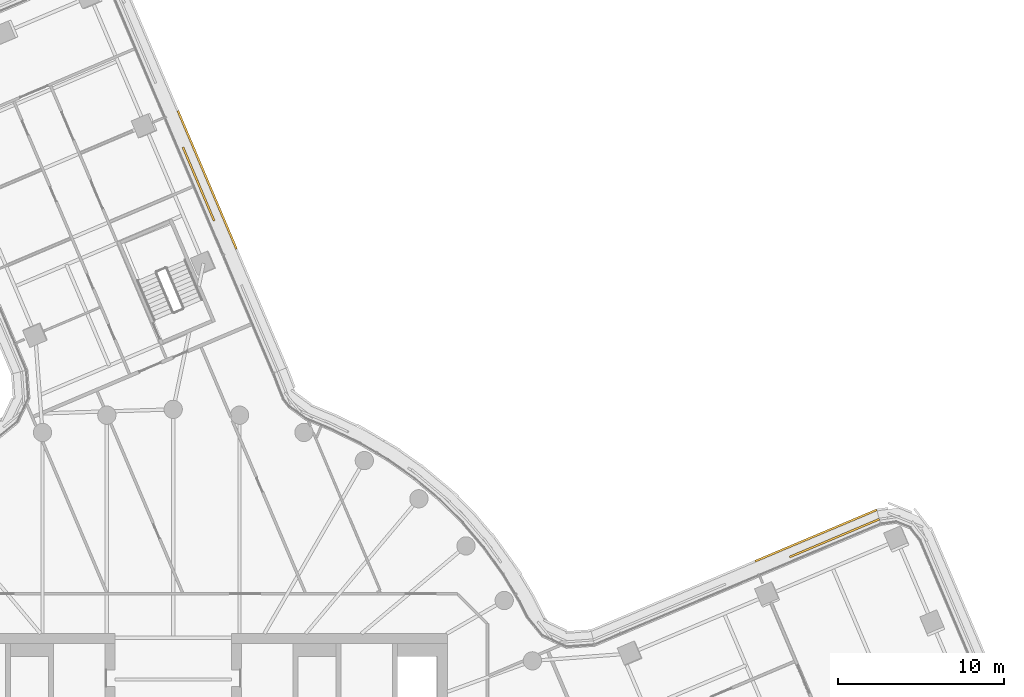
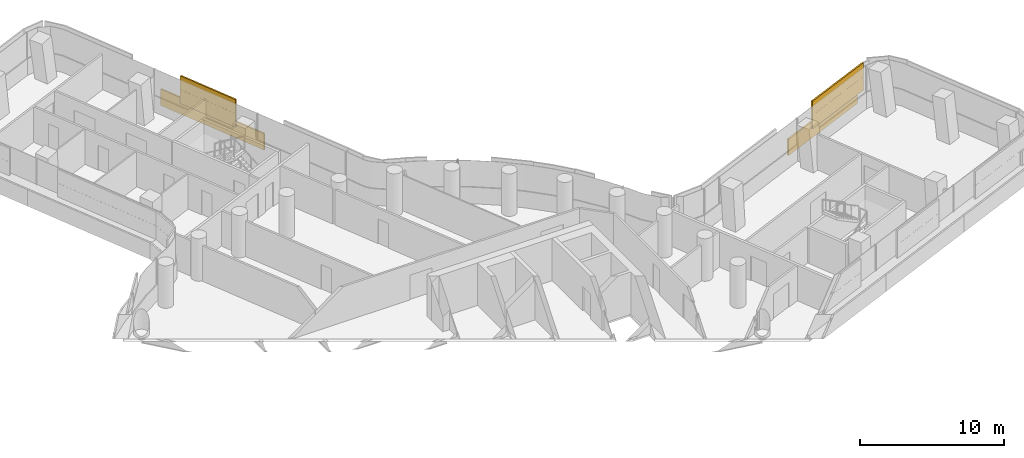
# One storey, part 35 of 35: 2 coverings.
"""IFC4 building model written with IfcOpenShell, lengths in metres."""

from ifc_helpers import new_model, si_unit, direction, frame, origin, origin_2d, place, context, subcontext, project, spatial, rectangle, extrude, material, layer, layer_set, type_object, element, save


model = new_model("IFC4")

# Units and contexts
model_context = context("Model", 3, precision=1e-05, world=origin(), true_north=direction((0.0, 1.0)))
body_context = subcontext(model_context, "Body", "Model", "MODEL_VIEW")
ifc_project = project(units=[si_unit("LENGTHUNIT", "METRE"), si_unit("AREAUNIT", "SQUARE_METRE"), si_unit("VOLUMEUNIT", "CUBIC_METRE"), si_unit("PLANEANGLEUNIT", "RADIAN"), si_unit("MASSUNIT", "GRAM", prefix="KILO")], contexts=[model_context])

# Site, building, storey
site_placement = place(None, origin())
site = spatial("IfcSite", under=ifc_project, at=site_placement, CompositionType="ELEMENT")
building_placement = place(site_placement, origin())
building = spatial("IfcBuilding", under=site, at=building_placement, Name="Tamarind Cross Interchange Tower", CompositionType="ELEMENT")
storey_placement = place(building_placement, frame((0.0, 0.0, 117.25)))
storey = spatial("IfcBuildingStorey", under=building, at=storey_placement, Name="L28", CompositionType="ELEMENT", Elevation=117.25)

# Coverings
ifc_material = material(Name="Terracotta", Category="masonry")
ifc_layer = layer(ifc_material, 0.1201171875)
ifc_layer_set = layer_set([ifc_layer], Name="Terracotta")
covering_type = type_object("IfcCoveringType", Name="Terracotta baguette screen unit", PredefinedType="MOLDING", material=ifc_layer_set)
covering_1_placement = place(storey_placement, origin())
element("IfcCovering", 1, at=covering_1_placement, inside=storey, type_object=covering_type, Name="SCR-L28-09-00", PredefinedType="MOLDING", context=body_context, shape_type="SweptSolid", body=[
    extrude(rectangle(XDim=1.510009765625, YDim=0.1201171875, at=origin_2d()), frame((41.800048828125, 16.1015625, 1.404052734375), z_axis=(0.0, 0.0, 1.0), x_axis=(-0.921263635853, -0.388938701154, 0.0)), (0.0, 0.0, 1.0), 1.1669921875),
    extrude(rectangle(XDim=1.52001953125, YDim=0.1201171875, at=origin_2d()), frame((40.418212890625, 15.518310546875, 1.404052734375), z_axis=(0.0, 0.0, 1.0), x_axis=(-0.921263635853, -0.388938701154, 0.0)), (0.0, 0.0, 1.0), 1.1669921875),
    extrude(rectangle(XDim=1.52001953125, YDim=0.1201171875, at=origin_2d()), frame((39.036376953125, 14.934814453125, 1.404052734375), z_axis=(0.0, 0.0, 1.0), x_axis=(-0.921263635853, -0.388938701154, 0.0)), (0.0, 0.0, 1.0), 1.1669921875),
    extrude(rectangle(XDim=1.362548828125, YDim=0.1201171875, at=origin_2d()), frame((37.722412109375, 14.380126953125, 1.404052734375), z_axis=(0.0, 0.0, 1.0), x_axis=(-0.921263635853, -0.388938701154, 0.0)), (0.0, 0.0, 1.0), 1.1669921875),
    extrude(rectangle(XDim=0.760009765625, YDim=0.1201171875, at=origin_2d()), frame((42.1455078125, 16.24755859375, 2.5791015625), z_axis=(0.0, 0.0, 1.0), x_axis=(-0.921263635853, -0.388938701154, 0.0)), (0.0, 0.0, 1.0), 1.1669921875),
    extrude(rectangle(XDim=1.52001953125, YDim=0.1201171875, at=origin_2d()), frame((41.109130859375, 15.809814453125, 2.5791015625), z_axis=(0.0, 0.0, 1.0), x_axis=(-0.921263635853, -0.388938701154, 0.0)), (0.0, 0.0, 1.0), 1.1669921875),
    extrude(rectangle(XDim=1.52001953125, YDim=0.1201171875, at=origin_2d()), frame((39.727294921875, 15.2265625, 2.5791015625), z_axis=(0.0, 0.0, 1.0), x_axis=(-0.921263635853, -0.388938701154, 0.0)), (0.0, 0.0, 1.0), 1.1669921875),
    extrude(rectangle(XDim=1.52001953125, YDim=0.1201171875, at=origin_2d()), frame((38.345458984375, 14.64306640625, 2.5791015625), z_axis=(0.0, 0.0, 1.0), x_axis=(-0.921263635853, -0.388938701154, 0.0)), (0.0, 0.0, 1.0), 1.1669921875),
    extrude(rectangle(XDim=0.612548828125, YDim=0.1201171875, at=origin_2d()), frame((37.376953125, 14.234130859375, 2.5791015625), z_axis=(0.0, 0.0, 1.0), x_axis=(-0.921263635853, -0.388938701154, 0.0)), (0.0, 0.0, 1.0), 1.1669921875),
    extrude(rectangle(XDim=1.510009765625, YDim=0.1201171875, at=origin_2d()), frame((41.641357421875, 16.65771484375, 0.00390625), z_axis=(0.0, 0.0, 1.0), x_axis=(-0.921263635853, -0.388938701154, 0.0)), (0.0, 0.0, 1.0), 1.39208984375),
    extrude(rectangle(XDim=1.52001953125, YDim=0.1201171875, at=origin_2d()), frame((40.26416015625, 16.076171875, 0.00390625), z_axis=(0.0, 0.0, 1.0), x_axis=(-0.921263635853, -0.388938701154, 0.0)), (0.0, 0.0, 1.0), 1.39208984375),
    extrude(rectangle(XDim=1.52001953125, YDim=0.1201171875, at=origin_2d()), frame((38.88232421875, 15.492919921875, 0.00390625), z_axis=(0.0, 0.0, 1.0), x_axis=(-0.921263635853, -0.388938701154, 0.0)), (0.0, 0.0, 1.0), 1.39208984375),
    extrude(rectangle(XDim=1.52001953125, YDim=0.1201171875, at=origin_2d()), frame((37.500244140625, 14.909423828125, 0.00390625), z_axis=(0.0, 0.0, 1.0), x_axis=(-0.921263635853, -0.388938701154, 0.0)), (0.0, 0.0, 1.0), 1.39208984375),
    extrude(rectangle(XDim=1.52001953125, YDim=0.1201171875, at=origin_2d()), frame((36.118408203125, 14.325927734375, 0.00390625), z_axis=(0.0, 0.0, 1.0), x_axis=(-0.921263635853, -0.388938701154, 0.0)), (0.0, 0.0, 1.0), 1.39208984375),
    extrude(rectangle(XDim=0.453857421875, YDim=0.1201171875, at=origin_2d()), frame((35.2275390625, 13.949951171875, 0.00390625), z_axis=(0.0, 0.0, 1.0), x_axis=(-0.921263635853, -0.388938701154, 0.0)), (0.0, 0.0, 1.0), 1.39208984375),
])
covering_2_placement = place(storey_placement, origin())
element("IfcCovering", 2, at=covering_2_placement, inside=storey, type_object=covering_type, Name="SCR-L28-11-01", PredefinedType="MOLDING", context=body_context, shape_type="SweptSolid", body=[
    extrude(rectangle(XDim=0.67724609375, YDim=0.1201171875, at=origin_2d()), frame((2.33447265625, 34.652587890625, 1.404052734375), z_axis=(0.0, 0.0, 1.0), x_axis=(-0.390499768049, 0.920603025823, 0.0)), (0.0, 0.0, 1.0), 1.1669921875),
    extrude(rectangle(XDim=1.52001953125, YDim=0.1201171875, at=origin_2d()), frame((1.911376953125, 35.650146484375, 1.404052734375), z_axis=(0.0, 0.0, 1.0), x_axis=(-0.390499768049, 0.920603025823, 0.0)), (0.0, 0.0, 1.0), 1.1669921875),
    extrude(rectangle(XDim=1.52001953125, YDim=0.1201171875, at=origin_2d()), frame((1.32568359375, 37.031005859375, 1.404052734375), z_axis=(0.0, 0.0, 1.0), x_axis=(-0.390499768049, 0.920603025823, 0.0)), (0.0, 0.0, 1.0), 1.1669921875),
    extrude(rectangle(XDim=1.147705078125, YDim=0.1201171875, at=origin_2d()), frame((0.810546875, 38.2451171875, 1.404052734375), z_axis=(0.0, 0.0, 1.0), x_axis=(-0.390499768049, 0.920603025823, 0.0)), (0.0, 0.0, 1.0), 1.1669921875),
    extrude(rectangle(XDim=1.42724609375, YDim=0.1201171875, at=origin_2d()), frame((2.18798828125, 34.997802734375, 2.5791015625), z_axis=(0.0, 0.0, 1.0), x_axis=(-0.390499768049, 0.920603025823, 0.0)), (0.0, 0.0, 1.0), 1.1669921875),
    extrude(rectangle(XDim=1.52001953125, YDim=0.1201171875, at=origin_2d()), frame((1.618408203125, 36.340576171875, 2.5791015625), z_axis=(0.0, 0.0, 1.0), x_axis=(-0.390499768049, 0.920603025823, 0.0)), (0.0, 0.0, 1.0), 1.1669921875),
    extrude(rectangle(XDim=1.52001953125, YDim=0.1201171875, at=origin_2d()), frame((1.03271484375, 37.721435546875, 2.5791015625), z_axis=(0.0, 0.0, 1.0), x_axis=(-0.390499768049, 0.920603025823, 0.0)), (0.0, 0.0, 1.0), 1.1669921875),
    extrude(rectangle(XDim=0.397705078125, YDim=0.1201171875, at=origin_2d()), frame((0.6640625, 38.59033203125, 2.5791015625), z_axis=(0.0, 0.0, 1.0), x_axis=(-0.390499768049, 0.920603025823, 0.0)), (0.0, 0.0, 1.0), 1.1669921875),
    extrude(rectangle(XDim=1.251220703125, YDim=0.1201171875, at=origin_2d()), frame((3.561767578125, 33.2294921875, 0.00390625), z_axis=(0.0, 0.0, 1.0), x_axis=(-0.390499768049, 0.920603025823, 0.0)), (0.0, 0.0, 1.0), 1.39208984375),
    extrude(rectangle(XDim=1.52001953125, YDim=0.1201171875, at=origin_2d()), frame((3.0283203125, 34.48681640625, 0.00390625), z_axis=(0.0, 0.0, 1.0), x_axis=(-0.390499768049, 0.920603025823, 0.0)), (0.0, 0.0, 1.0), 1.39208984375),
    extrude(rectangle(XDim=1.52001953125, YDim=0.1201171875, at=origin_2d()), frame((2.442626953125, 35.86767578125, 0.00390625), z_axis=(0.0, 0.0, 1.0), x_axis=(-0.390499768049, 0.920603025823, 0.0)), (0.0, 0.0, 1.0), 1.39208984375),
    extrude(rectangle(XDim=1.52001953125, YDim=0.1201171875, at=origin_2d()), frame((1.85693359375, 37.24853515625, 0.00390625), z_axis=(0.0, 0.0, 1.0), x_axis=(-0.390499768049, 0.920603025823, 0.0)), (0.0, 0.0, 1.0), 1.39208984375),
    extrude(rectangle(XDim=1.52001953125, YDim=0.1201171875, at=origin_2d()), frame((1.271240234375, 38.62939453125, 0.00390625), z_axis=(0.0, 0.0, 1.0), x_axis=(-0.390499768049, 0.920603025823, 0.0)), (0.0, 0.0, 1.0), 1.39208984375),
    extrude(rectangle(XDim=1.52001953125, YDim=0.1201171875, at=origin_2d()), frame((0.685302734375, 40.01025390625, 0.00390625), z_axis=(0.0, 0.0, 1.0), x_axis=(-0.390499768049, 0.920603025823, 0.0)), (0.0, 0.0, 1.0), 1.39208984375),
    extrude(rectangle(XDim=0.3037109375, YDim=0.1201171875, at=origin_2d()), frame((0.337158203125, 40.831298828125, 0.00390625), z_axis=(0.0, 0.0, 1.0), x_axis=(-0.390499768049, 0.920603025823, 0.0)), (0.0, 0.0, 1.0), 1.39208984375),
])

save(model, "model.ifc")
